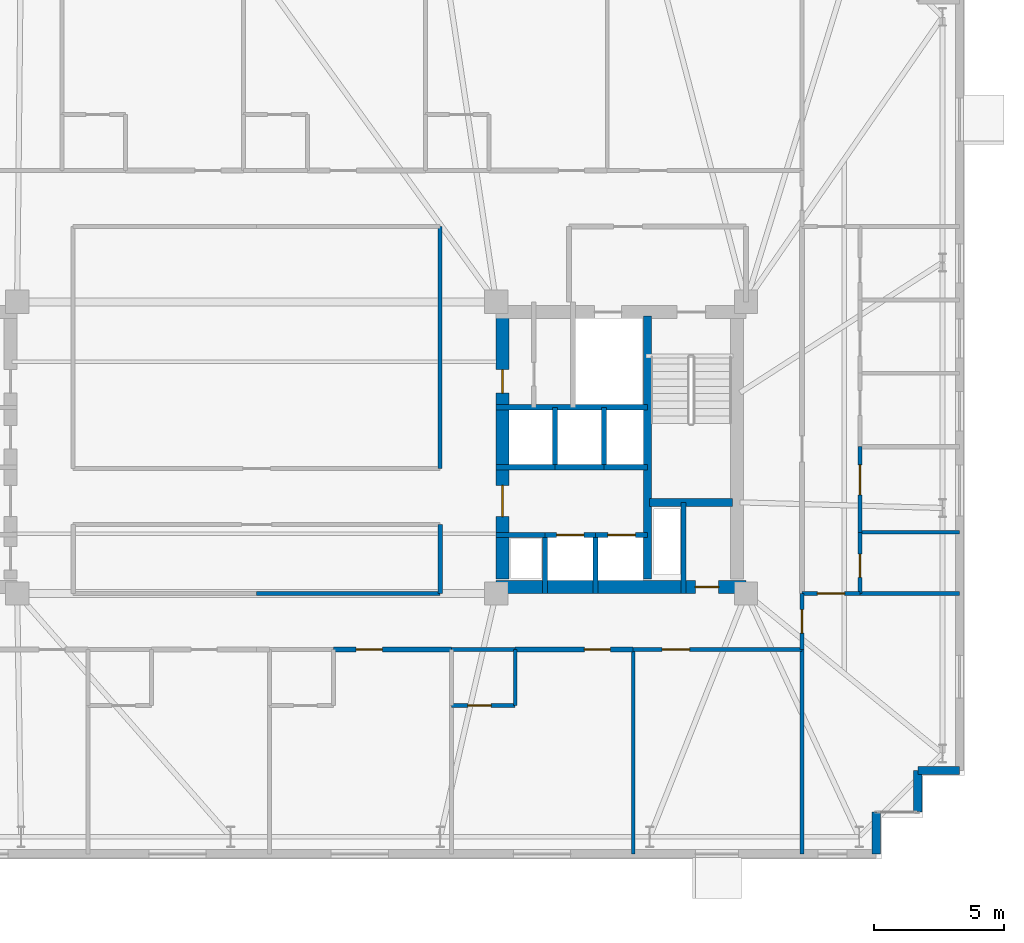
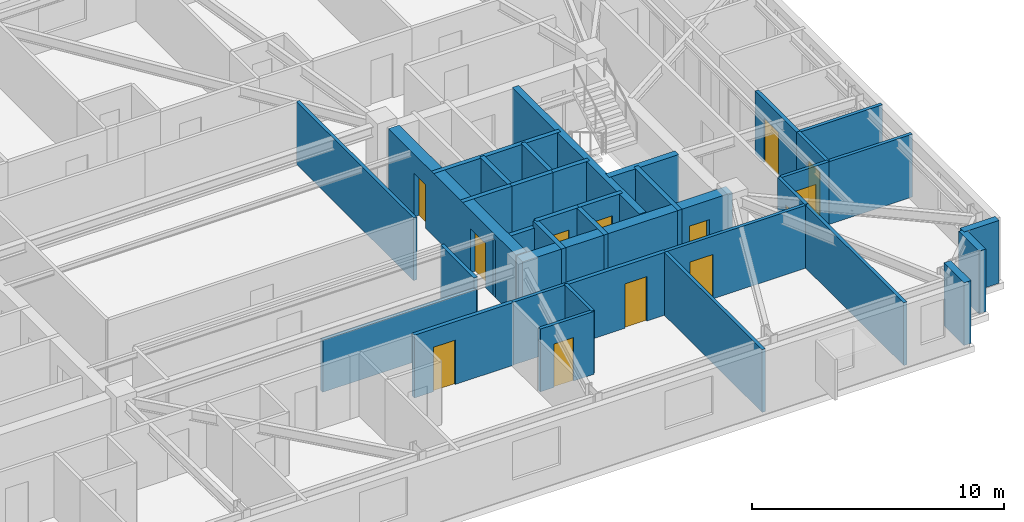
# One storey, part 13 of 17: 36 walls, 13 doors, 13 openings.
"""IFC4 building model written with IfcOpenShell, lengths in metres."""

from ifc_helpers import new_model, si_unit, direction, frame, frame_2d, origin, place, context, subcontext, project, spatial, rectangle, extrude, material, layer, layer_set, type_object, element, fill, save


model = new_model("IFC4")

# Units and contexts
model_context = context("Model", 3, precision=1e-05, world=origin(), true_north=direction((0.0, 1.0)))
body_context = subcontext(model_context, "Body", "Model", "MODEL_VIEW")
ifc_project = project(units=[si_unit("LENGTHUNIT", "METRE"), si_unit("AREAUNIT", "SQUARE_METRE"), si_unit("VOLUMEUNIT", "CUBIC_METRE"), si_unit("PLANEANGLEUNIT", "RADIAN"), si_unit("MASSUNIT", "GRAM", prefix="KILO")], contexts=[model_context])

# Site, building, storey
site_placement = place(None, origin())
site = spatial("IfcSite", under=ifc_project, at=site_placement, CompositionType="ELEMENT")
building_placement = place(site_placement, origin())
building = spatial("IfcBuilding", under=site, at=building_placement, Name="Qobustan Lattice House", CompositionType="ELEMENT")
storey_placement = place(building_placement, frame((0.0, 0.0, 157.800048828125)))
storey = spatial("IfcBuildingStorey", under=building, at=storey_placement, Name="L44", CompositionType="ELEMENT", Elevation=157.800048828125)

# Wall, opening, door
ifc_material_1 = material(Name="Concrete C50/60", Category="concrete")
ifc_layer_1 = layer(ifc_material_1, 0.5)
ifc_layer_set_1 = layer_set([ifc_layer_1], Name="Concrete C50/60")
wall_type_1 = type_object("IfcWallType", Name="WAL-CORE-500", PredefinedType="SHEAR", material=ifc_layer_set_1)
wall_1_placement = place(storey_placement, frame((9.199951171875, -5.35009765625, 0.0), z_axis=(0.0, 0.0, 1.0), x_axis=(1.0, 0.0, 0.0)))
wall_1 = element("IfcWall", 1, at=wall_1_placement, inside=storey, type_object=wall_type_1, Name="L44 split-core shear wall CE-S", PredefinedType="SHEAR", context=body_context, shape_type="SweptSolid", body=[
    extrude(rectangle(XDim=9.60009765625, YDim=0.5, at=frame_2d((4.800048828125, 0.0))), origin(), (0.0, 0.0, 1.0), 3.0400390625),
])
opening_1_placement = place(wall_1_placement, frame((7.64990234375, 0.0, 0.0)))
opening_1 = element("IfcOpeningElement", 2, at=opening_1_placement, cuts=wall_1, Name="Opening RD-01", PredefinedType="OPENING", context=body_context, shape_type="SweptSolid", body=[
    extrude(rectangle(XDim=0.89990234375, YDim=2.10009765625, at=frame_2d((0.449951171875, 1.050048828125))), frame((0.0, 0.260009765625, 0.0), z_axis=(0.0, -1.0, 0.0), x_axis=(1.0, 0.0, 0.0)), (0.0, 0.0, 1.0), 0.52001953125),
])
ifc_material_2 = material(Name="Persian walnut timber and steel frame door", Category="steel")
door_type_1 = type_object("IfcDoorType", Name="DOR-RISER-FD-900x2100", OperationType="NOTDEFINED", PredefinedType="DOOR", material=ifc_material_2)
door_1_placement = place(opening_1_placement, origin())
door_1 = element("IfcDoor", 3, at=door_1_placement, inside=storey, type_object=door_type_1, Name="L44 core service riser access door E", OperationType="SINGLE_SWING_RIGHT", OverallHeight=2.10009765625, OverallWidth=0.89990234375, PredefinedType="DOOR", context=body_context, shape_type="SweptSolid", body=[
    extrude(rectangle(XDim=0.89990234375, YDim=2.10009765625, at=frame_2d((0.449951171875, 1.050048828125))), frame((0.0, 0.02490234375, 0.0), z_axis=(0.0, -1.0, 0.0), x_axis=(1.0, 0.0, 0.0)), (0.0, 0.0, 1.0), 0.050048828125),
])
fill(opening_1, door_1)

# Wall, openings, doors
wall_2_placement = place(storey_placement, frame((9.449951171875, -5.050048828125, 0.0), z_axis=(0.0, 0.0, 1.0), x_axis=(0.0, 1.0, 0.0)))
wall_2 = element("IfcWall", 4, at=wall_2_placement, inside=storey, type_object=wall_type_1, Name="L44 split-core shear wall CE-W", PredefinedType="SHEAR", context=body_context, shape_type="SweptSolid", body=[
    extrude(rectangle(XDim=10.10009765625, YDim=0.5, at=frame_2d((5.050048828125, 0.0))), origin(), (0.0, 0.0, 1.0), 3.0400390625),
])
opening_2_placement = place(wall_2_placement, frame((7.14990234375, 0.0, 0.0)))
opening_2 = element("IfcOpeningElement", 5, at=opening_2_placement, cuts=wall_2, Name="Opening RD-01", PredefinedType="OPENING", context=body_context, shape_type="SweptSolid", body=[
    extrude(rectangle(XDim=0.89990234375, YDim=2.10009765625, at=frame_2d((0.449951171875, 1.050048828125))), frame((0.0, 0.260009765625, 0.0), z_axis=(0.0, -1.0, 0.0), x_axis=(1.0, 0.0, 0.0)), (0.0, 0.0, 1.0), 0.52001953125),
])
opening_3_placement = place(wall_2_placement, frame((2.39990234375, 0.0, 0.0)))
opening_3 = element("IfcOpeningElement", 6, at=opening_3_placement, cuts=wall_2, Name="Opening FD-01", PredefinedType="OPENING", context=body_context, shape_type="SweptSolid", body=[
    extrude(rectangle(XDim=1.199951171875, YDim=2.14990234375, at=frame_2d((0.60009765625, 1.074951171875))), frame((0.0, 0.260009765625, 0.0), z_axis=(0.0, -1.0, 0.0), x_axis=(1.0, 0.0, 0.0)), (0.0, 0.0, 1.0), 0.52001953125),
])
ifc_material_3 = material(Name="Persian walnut timber and steel frame door", Category="steel")
door_type_2 = type_object("IfcDoorType", Name="DOR-LOBBY-FD-1200x2150", OperationType="NOTDEFINED", PredefinedType="DOOR", material=ifc_material_3)
door_2_placement = place(opening_3_placement, origin())
door_2 = element("IfcDoor", 7, at=door_2_placement, inside=storey, type_object=door_type_2, Name="L44 East passenger lift lobby fire door", OperationType="SINGLE_SWING_LEFT", OverallHeight=2.14990234375, OverallWidth=1.199951171875, PredefinedType="DOOR", context=body_context, shape_type="SweptSolid", body=[
    extrude(rectangle(XDim=1.199951171875, YDim=2.14990234375, at=frame_2d((0.60009765625, 1.074951171875))), frame((0.0, 0.02490234375, 0.0), z_axis=(0.0, -1.0, 0.0), x_axis=(1.0, 0.0, 0.0)), (0.0, 0.0, 1.0), 0.050048828125),
])
fill(opening_3, door_2)
door_3_placement = place(opening_2_placement, origin())
door_3 = element("IfcDoor", 8, at=door_3_placement, inside=storey, type_object=door_type_1, Name="L44 Print and mail closet fire door", OperationType="SINGLE_SWING_RIGHT", OverallHeight=2.10009765625, OverallWidth=0.89990234375, PredefinedType="DOOR", context=body_context, shape_type="SweptSolid", body=[
    extrude(rectangle(XDim=0.89990234375, YDim=2.10009765625, at=frame_2d((0.449951171875, 1.050048828125))), frame((0.0, 0.02490234375, 0.0), z_axis=(0.0, -1.0, 0.0), x_axis=(1.0, 0.0, 0.0)), (0.0, 0.0, 1.0), 0.050048828125),
])
fill(opening_2, door_3)

# Walls
ifc_material_4 = material(Name="Concrete C50/60", Category="concrete")
ifc_layer_2 = layer(ifc_material_4, 0.280029296875)
ifc_layer_set_2 = layer_set([ifc_layer_2], Name="Concrete C50/60")
wall_type_2 = type_object("IfcWallType", Name="WAL-CORE-SPINE-280", PredefinedType="SHEAR", material=ifc_layer_set_2)
wall_3_placement = place(storey_placement, frame((15.02001953125, -5.050048828125, 0.0), z_axis=(0.0, 0.0, 1.0), x_axis=(0.0, 1.0, 0.0)))
element("IfcWall", 9, at=wall_3_placement, inside=storey, type_object=wall_type_2, Name="L44 split-core shear wall CE-M", PredefinedType="SHEAR", context=body_context, shape_type="SweptSolid", body=[
    extrude(rectangle(XDim=10.10009765625, YDim=0.300048828125, at=frame_2d((5.050048828125, 0.0))), origin(), (0.0, 0.0, 1.0), 3.0400390625),
])
wall_4_placement = place(storey_placement, frame((15.10009765625, -2.110107421875, 0.0), z_axis=(0.0, 0.0, 1.0), x_axis=(1.0, 0.0, 0.0)))
element("IfcWall", 10, at=wall_4_placement, inside=storey, type_object=wall_type_2, Name="L44 split-core shear wall CE-ST", PredefinedType="SHEAR", context=body_context, shape_type="SweptSolid", body=[
    extrude(rectangle(XDim=3.179931640625, YDim=0.300048828125, at=frame_2d((1.58984375, 0.0))), origin(), (0.0, 0.0, 1.0), 3.0400390625),
])
ifc_material_5 = material(Name="Precast concrete C40/50", Category="concrete")
ifc_layer_3 = layer(ifc_material_5, 0.320068359375)
ifc_layer_set_3 = layer_set([ifc_layer_3], Name="Precast concrete C40/50")
wall_type_3 = type_object("IfcWallType", Name="WAL-EXT-STONE-320", PredefinedType="SOLIDWALL", material=ifc_layer_set_3)
for number, where, z_axis, x_axis, name in (
    (11, (27.0, -12.39990234375, 0.0), (0.0, 0.0, 1.0), (-1.0, 0.0, 0.0), "L44 exterior limestone-clad wall 16"),
    (12, (25.39990234375, -12.39990234375, 0.0), (0.0, 0.0, 1.0), (0.0, -1.0, 0.0), "L44 exterior limestone-clad wall 17"),
    (13, (23.800048828125, -14.0, 0.0), (0.0, 0.0, 1.0), (0.0, -1.0, 0.0), "L44 exterior limestone-clad wall 19"),
):
    element("IfcWall", number, at=place(storey_placement, frame(where, z_axis=z_axis, x_axis=x_axis)), inside=storey, type_object=wall_type_3, Name=name, PredefinedType="SOLIDWALL", context=body_context, shape_type="SweptSolid", body=[
        extrude(rectangle(XDim=1.60009765625, YDim=0.320068359375, at=frame_2d((0.800048828125, 0.0))), origin(), (0.0, 0.0, 1.0), 3.0400390625),
    ])

# Wall, opening, door
ifc_material_6 = material(Name="Gypsum fireboard acoustic partition", Category="gypsum")
ifc_layer_4 = layer(ifc_material_6, 0.179931640625)
ifc_layer_set_4 = layer_set([ifc_layer_4], Name="Gypsum fireboard acoustic partition")
wall_type_4 = type_object("IfcWallType", Name="WAL-FIRE-180", PredefinedType="PARTITIONING", material=ifc_layer_set_4)
wall_5_placement = place(storey_placement, frame((7.48291015625, -7.75, 0.0), z_axis=(0.0, 0.0, 1.0), x_axis=(-1.0, 0.0, 0.0)))
wall_5 = element("IfcWall", 14, at=wall_5_placement, inside=storey, type_object=wall_type_4, Name="L44 interior partition 55", PredefinedType="PARTITIONING", context=body_context, shape_type="SweptSolid", body=[
    extrude(rectangle(XDim=4.532958984375, YDim=0.179931640625, at=frame_2d((2.2666015625, 0.0))), origin(), (0.0, 0.0, 1.0), 3.0400390625),
])
opening_4_placement = place(wall_5_placement, frame((2.656494140625, 0.0, 0.0)))
opening_4 = element("IfcOpeningElement", 15, at=opening_4_placement, cuts=wall_5, Name="Opening FD-02", PredefinedType="OPENING", context=body_context, shape_type="SweptSolid", body=[
    extrude(rectangle(XDim=1.0, YDim=2.14990234375, at=frame_2d((0.5, 1.074951171875))), frame((0.0, 0.099853515625, 0.0), z_axis=(0.0, -1.0, 0.0), x_axis=(1.0, 0.0, 0.0)), (0.0, 0.0, 1.0), 0.199951171875),
])
ifc_material_7 = material(Name="Persian walnut timber and steel frame door", Category="steel")
door_type_3 = type_object("IfcDoorType", Name="DOR-UNIT-FD-1000x2150", OperationType="NOTDEFINED", PredefinedType="DOOR", material=ifc_material_7)
door_4_placement = place(opening_4_placement, origin())
door_4 = element("IfcDoor", 16, at=door_4_placement, inside=storey, type_object=door_type_3, Name="L44 South-east floor corridor to Kitchenette and studio apartment L44-S4 door", OperationType="SINGLE_SWING_RIGHT", OverallHeight=2.14990234375, OverallWidth=1.0, PredefinedType="DOOR", context=body_context, shape_type="SweptSolid", body=[
    extrude(rectangle(XDim=1.0, YDim=2.14990234375, at=frame_2d((0.5, 1.074951171875))), frame((0.0, 0.02490234375, 0.0), z_axis=(0.0, -1.0, 0.0), x_axis=(1.0, 0.0, 0.0)), (0.0, 0.0, 1.0), 0.050048828125),
])
fill(opening_4, door_4)

wall_6_placement = place(storey_placement, frame((14.467041015625, -7.75, 0.0), z_axis=(0.0, 0.0, 1.0), x_axis=(-1.0, 0.0, 0.0)))
wall_6 = element("IfcWall", 17, at=wall_6_placement, inside=storey, type_object=wall_type_4, Name="L44 interior partition 57", PredefinedType="PARTITIONING", context=body_context, shape_type="SweptSolid", body=[
    extrude(rectangle(XDim=4.533935546875, YDim=0.179931640625, at=frame_2d((2.26708984375, 0.0))), origin(), (0.0, 0.0, 1.0), 3.0400390625),
])
opening_5_placement = place(wall_6_placement, frame((0.876708984375, 0.0, 0.0)))
opening_5 = element("IfcOpeningElement", 18, at=opening_5_placement, cuts=wall_6, Name="Opening FD-02", PredefinedType="OPENING", context=body_context, shape_type="SweptSolid", body=[
    extrude(rectangle(XDim=1.0, YDim=2.14990234375, at=frame_2d((0.5, 1.074951171875))), frame((0.0, 0.099853515625, 0.0), z_axis=(0.0, -1.0, 0.0), x_axis=(1.0, 0.0, 0.0)), (0.0, 0.0, 1.0), 0.199951171875),
])
door_5_placement = place(opening_5_placement, origin())
door_5 = element("IfcDoor", 19, at=door_5_placement, inside=storey, type_object=door_type_3, Name="L44 South-east floor corridor to Kitchenette and studio apartment L44-S5 door", OperationType="SINGLE_SWING_LEFT", OverallHeight=2.14990234375, OverallWidth=1.0, PredefinedType="DOOR", context=body_context, shape_type="SweptSolid", body=[
    extrude(rectangle(XDim=1.0, YDim=2.14990234375, at=frame_2d((0.5, 1.074951171875))), frame((0.0, 0.02490234375, 0.0), z_axis=(0.0, -1.0, 0.0), x_axis=(1.0, 0.0, 0.0)), (0.0, 0.0, 1.0), 0.050048828125),
])
fill(opening_5, door_5)

ifc_material_8 = material(Name="Acoustic twin-stud gypsum partition", Category="gypsum")
ifc_layer_5 = layer(ifc_material_8, 0.14990234375)
ifc_layer_set_5 = layer_set([ifc_layer_5], Name="Acoustic twin-stud gypsum partition")
wall_type_5 = type_object("IfcWallType", Name="WAL-PART-150", PredefinedType="PARTITIONING", material=ifc_layer_set_5)
wall_7_placement = place(storey_placement, frame((20.949951171875, -5.60009765625, 0.0), z_axis=(0.0, 0.0, 1.0), x_axis=(0.0, -1.0, 0.0)))
wall_7 = element("IfcWall", 20, at=wall_7_placement, inside=storey, type_object=wall_type_5, Name="L44 interior partition 53", PredefinedType="PARTITIONING", context=body_context, shape_type="SweptSolid", body=[
    extrude(rectangle(XDim=2.14990234375, YDim=0.14990234375, at=frame_2d((1.074951171875, 0.0))), origin(), (0.0, 0.0, 1.0), 3.0400390625),
])
opening_6_placement = place(wall_7_placement, frame((0.625, 0.0, 0.0)))
opening_6 = element("IfcOpeningElement", 21, at=opening_6_placement, cuts=wall_7, Name="Opening WD-01", PredefinedType="OPENING", context=body_context, shape_type="SweptSolid", body=[
    extrude(rectangle(XDim=0.89990234375, YDim=2.10009765625, at=frame_2d((0.449951171875, 1.050048828125))), frame((0.0, 0.0849609375, 0.0), z_axis=(0.0, -1.0, 0.0), x_axis=(1.0, 0.0, 0.0)), (0.0, 0.0, 1.0), 0.169921875),
])
ifc_material_9 = material(Name="Persian walnut timber and steel frame door", Category="steel")
door_type_4 = type_object("IfcDoorType", Name="DOR-WET-900x2100", OperationType="NOTDEFINED", PredefinedType="DOOR", material=ifc_material_9)
door_6_placement = place(opening_6_placement, origin())
door_6 = element("IfcDoor", 22, at=door_6_placement, inside=storey, type_object=door_type_4, Name="L44 South-east floor corridor to Reading study room L44ES door", OperationType="SINGLE_SWING_LEFT", OverallHeight=2.10009765625, OverallWidth=0.89990234375, PredefinedType="DOOR", context=body_context, shape_type="SweptSolid", body=[
    extrude(rectangle(XDim=0.89990234375, YDim=2.10009765625, at=frame_2d((0.449951171875, 1.050048828125))), frame((0.0, 0.02490234375, 0.0), z_axis=(0.0, -1.0, 0.0), x_axis=(1.0, 0.0, 0.0)), (0.0, 0.0, 1.0), 0.050048828125),
])
fill(opening_6, door_6)

wall_8_placement = place(storey_placement, frame((20.949951171875, -7.75, 0.0), z_axis=(0.0, 0.0, 1.0), x_axis=(-1.0, 0.0, 0.0)))
wall_8 = element("IfcWall", 23, at=wall_8_placement, inside=storey, type_object=wall_type_5, Name="L44 interior partition 59", PredefinedType="PARTITIONING", context=body_context, shape_type="SweptSolid", body=[
    extrude(rectangle(XDim=6.48291015625, YDim=0.14990234375, at=frame_2d((3.241455078125, 0.0))), origin(), (0.0, 0.0, 1.0), 3.0400390625),
])
opening_7_placement = place(wall_8_placement, frame((4.31884765625, 0.0, 0.0)))
opening_7 = element("IfcOpeningElement", 24, at=opening_7_placement, cuts=wall_8, Name="Opening ID-02", PredefinedType="OPENING", context=body_context, shape_type="SweptSolid", body=[
    extrude(rectangle(XDim=1.050048828125, YDim=2.14990234375, at=frame_2d((0.52490234375, 1.074951171875))), frame((0.0, 0.0849609375, 0.0), z_axis=(0.0, -1.0, 0.0), x_axis=(1.0, 0.0, 0.0)), (0.0, 0.0, 1.0), 0.169921875),
])
ifc_material_10 = material(Name="Persian walnut timber and steel frame door", Category="steel")
door_type_5 = type_object("IfcDoorType", Name="DOR-STUDY-1050x2150", OperationType="NOTDEFINED", PredefinedType="DOOR", material=ifc_material_10)
door_7_placement = place(opening_7_placement, origin())
door_7 = element("IfcDoor", 25, at=door_7_placement, inside=storey, type_object=door_type_5, Name="L44 South-east floor corridor to Group study room door", OperationType="SINGLE_SWING_RIGHT", OverallHeight=2.14990234375, OverallWidth=1.050048828125, PredefinedType="DOOR", context=body_context, shape_type="SweptSolid", body=[
    extrude(rectangle(XDim=1.050048828125, YDim=2.14990234375, at=frame_2d((0.52490234375, 1.074951171875))), frame((0.0, 0.02490234375, 0.0), z_axis=(0.0, -1.0, 0.0), x_axis=(1.0, 0.0, 0.0)), (0.0, 0.0, 1.0), 0.050048828125),
])
fill(opening_7, door_7)

# Wall
wall_9_placement = place(storey_placement, frame((7.050048828125, -0.800048828125, 0.0), z_axis=(0.0, 0.0, 1.0), x_axis=(0.0, 1.0, 0.0)))
element("IfcWall", 26, at=wall_9_placement, inside=storey, type_object=wall_type_5, Name="L44 interior partition 69", PredefinedType="PARTITIONING", context=body_context, shape_type="SweptSolid", body=[
    extrude(rectangle(XDim=9.300048828125, YDim=0.14990234375, at=frame_2d((4.64990234375, 0.0))), origin(), (0.0, 0.0, 1.0), 3.0400390625),
])

# Wall, opening, door
wall_10_placement = place(storey_placement, frame((23.179931640625, -5.60009765625, 0.0), z_axis=(0.0, 0.0, 1.0), x_axis=(-1.0, 0.0, 0.0)))
wall_10 = element("IfcWall", 27, at=wall_10_placement, inside=storey, type_object=wall_type_5, Name="L44 interior partition 83", PredefinedType="PARTITIONING", context=body_context, shape_type="SweptSolid", body=[
    extrude(rectangle(XDim=2.22998046875, YDim=0.14990234375, at=frame_2d((1.114990234375, 0.0))), origin(), (0.0, 0.0, 1.0), 3.0400390625),
])
opening_8_placement = place(wall_10_placement, frame((0.590087890625, 0.0, 0.0)))
opening_8 = element("IfcOpeningElement", 28, at=opening_8_placement, cuts=wall_10, Name="Opening ID-02", PredefinedType="OPENING", context=body_context, shape_type="SweptSolid", body=[
    extrude(rectangle(XDim=1.050048828125, YDim=2.14990234375, at=frame_2d((0.52490234375, 1.074951171875))), frame((0.0, 0.0849609375, 0.0), z_axis=(0.0, -1.0, 0.0), x_axis=(1.0, 0.0, 0.0)), (0.0, 0.0, 1.0), 0.169921875),
])
door_8_placement = place(opening_8_placement, origin())
door_8 = element("IfcDoor", 29, at=door_8_placement, inside=storey, type_object=door_type_5, Name="L44 Residence entrance hall L44E to Reading study room L44ES door", OperationType="SINGLE_SWING_LEFT", OverallHeight=2.14990234375, OverallWidth=1.050048828125, PredefinedType="DOOR", context=body_context, shape_type="SweptSolid", body=[
    extrude(rectangle(XDim=1.050048828125, YDim=2.14990234375, at=frame_2d((0.52490234375, 1.074951171875))), frame((0.0, 0.02490234375, 0.0), z_axis=(0.0, -1.0, 0.0), x_axis=(1.0, 0.0, 0.0)), (0.0, 0.0, 1.0), 0.050048828125),
])
fill(opening_8, door_8)

# Walls
for number, where, z_axis, x_axis, name in (
    (30, (20.949951171875, -15.60009765625, 0.0), (0.0, 0.0, 1.0), (0.0, 1.0, 0.0), "L44 interior partition 92"),
    (31, (14.467041015625, -7.75, 0.0), (0.0, 0.0, 1.0), (0.0, -1.0, 0.0), "L44 interior partition 128"),
):
    element("IfcWall", number, at=place(storey_placement, frame(where, z_axis=z_axis, x_axis=x_axis)), inside=storey, type_object=wall_type_5, Name=name, PredefinedType="PARTITIONING", context=body_context, shape_type="SweptSolid", body=[
        extrude(rectangle(XDim=7.85009765625, YDim=0.14990234375, at=frame_2d((3.925048828125, 0.0))), origin(), (0.0, 0.0, 1.0), 3.0400390625),
    ])
ifc_material_11 = material(Name="High-mass acoustic twin-stud partition", Category="gypsum")
ifc_layer_6 = layer(ifc_material_11, 0.1650390625)
ifc_layer_set_6 = layer_set([ifc_layer_6], Name="High-mass acoustic twin-stud partition")
wall_type_6 = type_object("IfcWallType", Name="WAL-PART-165", PredefinedType="PARTITIONING", material=ifc_layer_set_6)
wall_11_placement = place(storey_placement, frame((0.0, -5.60009765625, 0.0), z_axis=(0.0, 0.0, 1.0), x_axis=(1.0, 0.0, 0.0)))
element("IfcWall", 32, at=wall_11_placement, inside=storey, type_object=wall_type_6, Name="L44 interior partition 60", PredefinedType="PARTITIONING", context=body_context, shape_type="SweptSolid", body=[
    extrude(rectangle(XDim=7.050048828125, YDim=0.1650390625, at=frame_2d((3.52490234375, 0.0))), origin(), (0.0, 0.0, 1.0), 2.52490234375),
])
wall_12_placement = place(storey_placement, frame((7.050048828125, -5.60009765625, 0.0), z_axis=(0.0, 0.0, 1.0), x_axis=(0.0, 1.0, 0.0)))
element("IfcWall", 33, at=wall_12_placement, inside=storey, type_object=wall_type_6, Name="L44 interior partition 70", PredefinedType="PARTITIONING", context=body_context, shape_type="SweptSolid", body=[
    extrude(rectangle(XDim=2.650146484375, YDim=0.1650390625, at=frame_2d((1.3251953125, 0.0))), origin(), (0.0, 0.0, 1.0), 3.0400390625),
])

# Wall, opening, door
wall_13_placement = place(storey_placement, frame((23.179931640625, 0.0400390625, 0.0), z_axis=(0.0, 0.0, 1.0), x_axis=(0.0, -1.0, 0.0)))
wall_13 = element("IfcWall", 34, at=wall_13_placement, inside=storey, type_object=wall_type_6, Name="L44 interior partition 85", PredefinedType="PARTITIONING", context=body_context, shape_type="SweptSolid", body=[
    extrude(rectangle(XDim=3.2900390625, YDim=0.1650390625, at=frame_2d((1.64501953125, 0.0))), origin(), (0.0, 0.0, 1.0), 3.0400390625),
])
opening_9_placement = place(wall_13_placement, frame((0.702392578125, 0.0, 0.0)))
opening_9 = element("IfcOpeningElement", 35, at=opening_9_placement, cuts=wall_13, Name="Opening ID-03", PredefinedType="OPENING", context=body_context, shape_type="SweptSolid", body=[
    extrude(rectangle(XDim=1.14990234375, YDim=2.14990234375, at=frame_2d((0.574951171875, 1.074951171875))), frame((0.0, 0.092529296875, 0.0), z_axis=(0.0, -1.0, 0.0), x_axis=(1.0, 0.0, 0.0)), (0.0, 0.0, 1.0), 0.18505859375),
])
ifc_material_12 = material(Name="Persian walnut timber and steel frame door", Category="steel")
door_type_6 = type_object("IfcDoorType", Name="DOR-KITCH-1150x2150", OperationType="NOTDEFINED", PredefinedType="DOOR", material=ifc_material_12)
door_9_placement = place(opening_9_placement, origin())
door_9 = element("IfcDoor", 36, at=door_9_placement, inside=storey, type_object=door_type_6, Name="L44 Residence entrance hall L44E to Shared kitchen L44E door", OperationType="SINGLE_SWING_LEFT", OverallHeight=2.14990234375, OverallWidth=1.14990234375, PredefinedType="DOOR", context=body_context, shape_type="SweptSolid", body=[
    extrude(rectangle(XDim=1.14990234375, YDim=2.14990234375, at=frame_2d((0.574951171875, 1.074951171875))), frame((0.0, 0.02490234375, 0.0), z_axis=(0.0, -1.0, 0.0), x_axis=(1.0, 0.0, 0.0)), (0.0, 0.0, 1.0), 0.050048828125),
])
fill(opening_9, door_9)

# Walls
ifc_material_13 = material(Name="Concrete C40/50", Category="concrete")
ifc_layer_7 = layer(ifc_material_13, 0.199951171875)
ifc_layer_set_7 = layer_set([ifc_layer_7], Name="Concrete C40/50")
wall_type_7 = type_object("IfcWallType", Name="WAL-SHAFT-200", PredefinedType="PARTITIONING", material=ifc_layer_set_7)
wall_14_placement = place(storey_placement, frame((16.39990234375, -2.110107421875, 0.0), z_axis=(0.0, 0.0, 1.0), x_axis=(0.0, -1.0, 0.0)))
element("IfcWall", 37, at=wall_14_placement, inside=storey, type_object=wall_type_7, Name="L44 interior partition 13", PredefinedType="PARTITIONING", context=body_context, shape_type="SweptSolid", body=[
    extrude(rectangle(XDim=3.489990234375, YDim=0.199951171875, at=frame_2d((1.7451171875, 0.0))), origin(), (0.0, 0.0, 1.0), 3.0400390625),
])
wall_15_placement = place(storey_placement, frame((9.199951171875, -3.35009765625, 0.0), z_axis=(0.0, 0.0, 1.0), x_axis=(1.0, 0.0, 0.0)))
element("IfcWall", 38, at=wall_15_placement, inside=storey, type_object=wall_type_7, Name="L44 interior partition 20", PredefinedType="PARTITIONING", context=body_context, shape_type="SweptSolid", body=[
    extrude(rectangle(XDim=1.880126953125, YDim=0.199951171875, at=frame_2d((0.93994140625, 0.0))), origin(), (0.0, 0.0, 1.0), 2.7548828125),
])

# Wall, opening, door
wall_16_placement = place(storey_placement, frame((11.080078125, -3.35009765625, 0.0), z_axis=(0.0, 0.0, 1.0), x_axis=(1.0, 0.0, 0.0)))
wall_16 = element("IfcWall", 39, at=wall_16_placement, inside=storey, type_object=wall_type_7, Name="L44 interior partition 21", PredefinedType="PARTITIONING", context=body_context, shape_type="SweptSolid", body=[
    extrude(rectangle(XDim=1.93994140625, YDim=0.199951171875, at=frame_2d((0.969970703125, 0.0))), origin(), (0.0, 0.0, 1.0), 3.0400390625),
])
opening_10_placement = place(wall_16_placement, frame((0.445068359375, 0.0, 0.0)))
opening_10 = element("IfcOpeningElement", 40, at=opening_10_placement, cuts=wall_16, Name="Opening LD-01", PredefinedType="OPENING", context=body_context, shape_type="SweptSolid", body=[
    extrude(rectangle(XDim=1.050048828125, YDim=2.10009765625, at=frame_2d((0.52490234375, 1.050048828125))), frame((0.0, 0.10986328125, 0.0), z_axis=(0.0, -1.0, 0.0), x_axis=(1.0, 0.0, 0.0)), (0.0, 0.0, 1.0), 0.219970703125),
])
ifc_material_14 = material(Name="Persian walnut timber and steel frame door", Category="steel")
door_type_7 = type_object("IfcDoorType", Name="DOR-LIFT-LD-1050x2100", OperationType="NOTDEFINED", PredefinedType="DOOR", material=ifc_material_14)
door_10_placement = place(opening_10_placement, origin())
door_10 = element("IfcDoor", 41, at=door_10_placement, inside=storey, type_object=door_type_7, Name="L44 lift landing door", OperationType="DOUBLE_DOOR_SLIDING", OverallHeight=2.10009765625, OverallWidth=1.050048828125, PredefinedType="DOOR", context=body_context, shape_type="SweptSolid", body=[
    extrude(rectangle(XDim=1.050048828125, YDim=2.10009765625, at=frame_2d((0.52490234375, 1.050048828125))), frame((0.0, 0.02490234375, 0.0), z_axis=(0.0, -1.0, 0.0), x_axis=(1.0, 0.0, 0.0)), (0.0, 0.0, 1.0), 0.050048828125),
])
fill(opening_10, door_10)

wall_17_placement = place(storey_placement, frame((13.02001953125, -3.35009765625, 0.0), z_axis=(0.0, 0.0, 1.0), x_axis=(1.0, 0.0, 0.0)))
wall_17 = element("IfcWall", 42, at=wall_17_placement, inside=storey, type_object=wall_type_7, Name="L44 interior partition 22", PredefinedType="PARTITIONING", context=body_context, shape_type="SweptSolid", body=[
    extrude(rectangle(XDim=2.0, YDim=0.199951171875, at=frame_2d((1.0, 0.0))), origin(), (0.0, 0.0, 1.0), 3.0400390625),
])
opening_11_placement = place(wall_17_placement, frame((0.47509765625, 0.0, 0.0)))
opening_11 = element("IfcOpeningElement", 43, at=opening_11_placement, cuts=wall_17, Name="Opening LD-01", PredefinedType="OPENING", context=body_context, shape_type="SweptSolid", body=[
    extrude(rectangle(XDim=1.050048828125, YDim=2.10009765625, at=frame_2d((0.52490234375, 1.050048828125))), frame((0.0, 0.10986328125, 0.0), z_axis=(0.0, -1.0, 0.0), x_axis=(1.0, 0.0, 0.0)), (0.0, 0.0, 1.0), 0.219970703125),
])
door_11_placement = place(opening_11_placement, origin())
door_11 = element("IfcDoor", 44, at=door_11_placement, inside=storey, type_object=door_type_7, Name="L44 lift landing door", OperationType="DOUBLE_DOOR_SLIDING", OverallHeight=2.10009765625, OverallWidth=1.050048828125, PredefinedType="DOOR", context=body_context, shape_type="SweptSolid", body=[
    extrude(rectangle(XDim=1.050048828125, YDim=2.10009765625, at=frame_2d((0.52490234375, 1.050048828125))), frame((0.0, 0.02490234375, 0.0), z_axis=(0.0, -1.0, 0.0), x_axis=(1.0, 0.0, 0.0)), (0.0, 0.0, 1.0), 0.050048828125),
])
fill(opening_11, door_11)

# Walls
wall_18_placement = place(storey_placement, frame((11.4599609375, -0.75, 0.0), z_axis=(0.0, 0.0, 1.0), x_axis=(-1.0, 0.0, 0.0)))
element("IfcWall", 45, at=wall_18_placement, inside=storey, type_object=wall_type_7, Name="L44 interior partition 23", PredefinedType="PARTITIONING", context=body_context, shape_type="SweptSolid", body=[
    extrude(rectangle(XDim=2.260009765625, YDim=0.199951171875, at=frame_2d((1.1298828125, 0.0))), origin(), (0.0, 0.0, 1.0), 3.0400390625),
])
wall_19_placement = place(storey_placement, frame((13.340087890625, -0.75, 0.0), z_axis=(0.0, 0.0, 1.0), x_axis=(-1.0, 0.0, 0.0)))
element("IfcWall", 46, at=wall_19_placement, inside=storey, type_object=wall_type_7, Name="L44 interior partition 24", PredefinedType="PARTITIONING", context=body_context, shape_type="SweptSolid", body=[
    extrude(rectangle(XDim=1.880126953125, YDim=0.199951171875, at=frame_2d((0.93994140625, 0.0))), origin(), (0.0, 0.0, 1.0), 3.0400390625),
])
wall_20_placement = place(storey_placement, frame((15.02001953125, -0.75, 0.0), z_axis=(0.0, 0.0, 1.0), x_axis=(-1.0, 0.0, 0.0)))
element("IfcWall", 47, at=wall_20_placement, inside=storey, type_object=wall_type_7, Name="L44 interior partition 25", PredefinedType="PARTITIONING", context=body_context, shape_type="SweptSolid", body=[
    extrude(rectangle(XDim=1.679931640625, YDim=0.199951171875, at=frame_2d((0.83984375, 0.0))), origin(), (0.0, 0.0, 1.0), 3.0400390625),
])
for number, where, z_axis, x_axis, name in (
    (48, (11.080078125, -5.60009765625, 0.0), (0.0, 0.0, 1.0), (0.0, 1.0, 0.0), "L44 interior partition 27"),
    (49, (13.02001953125, -5.60009765625, 0.0), (0.0, 0.0, 1.0), (0.0, 1.0, 0.0), "L44 interior partition 28"),
):
    element("IfcWall", number, at=place(storey_placement, frame(where, z_axis=z_axis, x_axis=x_axis)), inside=storey, type_object=wall_type_7, Name=name, PredefinedType="PARTITIONING", context=body_context, shape_type="SweptSolid", body=[
        extrude(rectangle(XDim=2.25, YDim=0.199951171875, at=frame_2d((1.125, 0.0))), origin(), (0.0, 0.0, 1.0), 3.0400390625),
    ])
for number, where, z_axis, x_axis, name in (
    (50, (11.4599609375, -0.75, 0.0), (0.0, 0.0, 1.0), (0.0, 1.0, 0.0), "L44 interior partition 29"),
    (51, (13.340087890625, -0.75, 0.0), (0.0, 0.0, 1.0), (0.0, 1.0, 0.0), "L44 interior partition 30"),
):
    element("IfcWall", number, at=place(storey_placement, frame(where, z_axis=z_axis, x_axis=x_axis)), inside=storey, type_object=wall_type_7, Name=name, PredefinedType="PARTITIONING", context=body_context, shape_type="SweptSolid", body=[
        extrude(rectangle(XDim=2.300048828125, YDim=0.199951171875, at=frame_2d((1.14990234375, 0.0))), origin(), (0.0, 0.0, 1.0), 3.0400390625),
    ])
wall_21_placement = place(storey_placement, frame((9.199951171875, 1.550048828125, 0.0), z_axis=(0.0, 0.0, 1.0), x_axis=(1.0, 0.0, 0.0)))
element("IfcWall", 52, at=wall_21_placement, inside=storey, type_object=wall_type_7, Name="L44 interior partition 130", PredefinedType="PARTITIONING", context=body_context, shape_type="SweptSolid", body=[
    extrude(rectangle(XDim=5.820068359375, YDim=0.199951171875, at=frame_2d((2.91015625, 0.0))), origin(), (0.0, 0.0, 1.0), 3.0400390625),
])
ifc_material_15 = material(Name="Moisture-resistant acoustic plumbing wall", Category="gypsum")
ifc_layer_8 = layer(ifc_material_15, 0.14990234375)
ifc_layer_set_8 = layer_set([ifc_layer_8], Name="Moisture-resistant acoustic plumbing wall")
wall_type_8 = type_object("IfcWallType", Name="WAL-WET-150", PredefinedType="PLUMBINGWALL", material=ifc_layer_set_8)
wall_22_placement = place(storey_placement, frame((9.93310546875, -7.75, 0.0), z_axis=(0.0, 0.0, 1.0), x_axis=(-1.0, 0.0, 0.0)))
element("IfcWall", 53, at=wall_22_placement, inside=storey, type_object=wall_type_8, Name="L44 interior partition 58", PredefinedType="PLUMBINGWALL", context=body_context, shape_type="SweptSolid", body=[
    extrude(rectangle(XDim=2.4501953125, YDim=0.14990234375, at=frame_2d((1.22509765625, 0.0))), origin(), (0.0, 0.0, 1.0), 3.0400390625),
])

# Wall, opening, door
wall_23_placement = place(storey_placement, frame((23.179931640625, -3.25, 0.0), z_axis=(0.0, 0.0, 1.0), x_axis=(0.0, -1.0, 0.0)))
wall_23 = element("IfcWall", 54, at=wall_23_placement, inside=storey, type_object=wall_type_8, Name="L44 interior partition 84", PredefinedType="PLUMBINGWALL", context=body_context, shape_type="SweptSolid", body=[
    extrude(rectangle(XDim=2.35009765625, YDim=0.14990234375, at=frame_2d((1.175048828125, 0.0))), origin(), (0.0, 0.0, 1.0), 3.0400390625),
])
opening_12_placement = place(wall_23_placement, frame((0.833740234375, 0.0, 0.0)))
opening_12 = element("IfcOpeningElement", 55, at=opening_12_placement, cuts=wall_23, Name="Opening WD-01", PredefinedType="OPENING", context=body_context, shape_type="SweptSolid", body=[
    extrude(rectangle(XDim=0.89990234375, YDim=2.10009765625, at=frame_2d((0.449951171875, 1.050048828125))), frame((0.0, 0.0849609375, 0.0), z_axis=(0.0, -1.0, 0.0), x_axis=(1.0, 0.0, 0.0)), (0.0, 0.0, 1.0), 0.169921875),
])
door_12_placement = place(opening_12_placement, origin())
door_12 = element("IfcDoor", 56, at=door_12_placement, inside=storey, type_object=door_type_4, Name="L44 Residence entrance hall L44E to Shared bathroom L44E door", OperationType="SINGLE_SWING_RIGHT", OverallHeight=2.10009765625, OverallWidth=0.89990234375, PredefinedType="DOOR", context=body_context, shape_type="SweptSolid", body=[
    extrude(rectangle(XDim=0.89990234375, YDim=2.10009765625, at=frame_2d((0.449951171875, 1.050048828125))), frame((0.0, 0.02490234375, 0.0), z_axis=(0.0, -1.0, 0.0), x_axis=(1.0, 0.0, 0.0)), (0.0, 0.0, 1.0), 0.050048828125),
])
fill(opening_12, door_12)

# Walls
for number, where, z_axis, x_axis, name in (
    (57, (23.179931640625, -5.60009765625, 0.0), (0.0, 0.0, 1.0), (1.0, 0.0, 0.0), "L44 interior partition 91"),
    (58, (23.179931640625, -3.25, 0.0), (0.0, 0.0, 1.0), (1.0, 0.0, 0.0), "L44 interior partition 93"),
):
    element("IfcWall", number, at=place(storey_placement, frame(where, z_axis=z_axis, x_axis=x_axis)), inside=storey, type_object=wall_type_8, Name=name, PredefinedType="PLUMBINGWALL", context=body_context, shape_type="SweptSolid", body=[
        extrude(rectangle(XDim=3.820068359375, YDim=0.14990234375, at=frame_2d((1.91015625, 0.0))), origin(), (0.0, 0.0, 1.0), 3.0400390625),
    ])

# Wall, opening, door
wall_24_placement = place(storey_placement, frame((7.48291015625, -9.89990234375, 0.0), z_axis=(0.0, 0.0, 1.0), x_axis=(1.0, 0.0, 0.0)))
wall_24 = element("IfcWall", 59, at=wall_24_placement, inside=storey, type_object=wall_type_8, Name="L44 interior partition 126", PredefinedType="PLUMBINGWALL", context=body_context, shape_type="SweptSolid", body=[
    extrude(rectangle(XDim=2.4501953125, YDim=0.14990234375, at=frame_2d((1.22509765625, 0.0))), origin(), (0.0, 0.0, 1.0), 3.0400390625),
])
opening_13_placement = place(wall_24_placement, frame((0.62890625, 0.0, 0.0)))
opening_13 = element("IfcOpeningElement", 60, at=opening_13_placement, cuts=wall_24, Name="Opening WD-01", PredefinedType="OPENING", context=body_context, shape_type="SweptSolid", body=[
    extrude(rectangle(XDim=0.89990234375, YDim=2.10009765625, at=frame_2d((0.449951171875, 1.050048828125))), frame((0.0, 0.0849609375, 0.0), z_axis=(0.0, -1.0, 0.0), x_axis=(1.0, 0.0, 0.0)), (0.0, 0.0, 1.0), 0.169921875),
])
door_13_placement = place(opening_13_placement, origin())
door_13 = element("IfcDoor", 61, at=door_13_placement, inside=storey, type_object=door_type_4, Name="L44 Kitchenette and studio apartment L44-S5 to En-suite bathroom L44-S5 door", OperationType="SINGLE_SWING_LEFT", OverallHeight=2.10009765625, OverallWidth=0.89990234375, PredefinedType="DOOR", context=body_context, shape_type="SweptSolid", body=[
    extrude(rectangle(XDim=0.89990234375, YDim=2.10009765625, at=frame_2d((0.449951171875, 1.050048828125))), frame((0.0, 0.02490234375, 0.0), z_axis=(0.0, -1.0, 0.0), x_axis=(1.0, 0.0, 0.0)), (0.0, 0.0, 1.0), 0.050048828125),
])
fill(opening_13, door_13)

# Wall
wall_25_placement = place(storey_placement, frame((9.93310546875, -9.89990234375, 0.0), z_axis=(0.0, 0.0, 1.0), x_axis=(0.0, 1.0, 0.0)))
element("IfcWall", 62, at=wall_25_placement, inside=storey, type_object=wall_type_8, Name="L44 interior partition 127", PredefinedType="PLUMBINGWALL", context=body_context, shape_type="SweptSolid", body=[
    extrude(rectangle(XDim=2.14990234375, YDim=0.14990234375, at=frame_2d((1.074951171875, 0.0))), origin(), (0.0, 0.0, 1.0), 3.0400390625),
])

save(model, "model.ifc")
